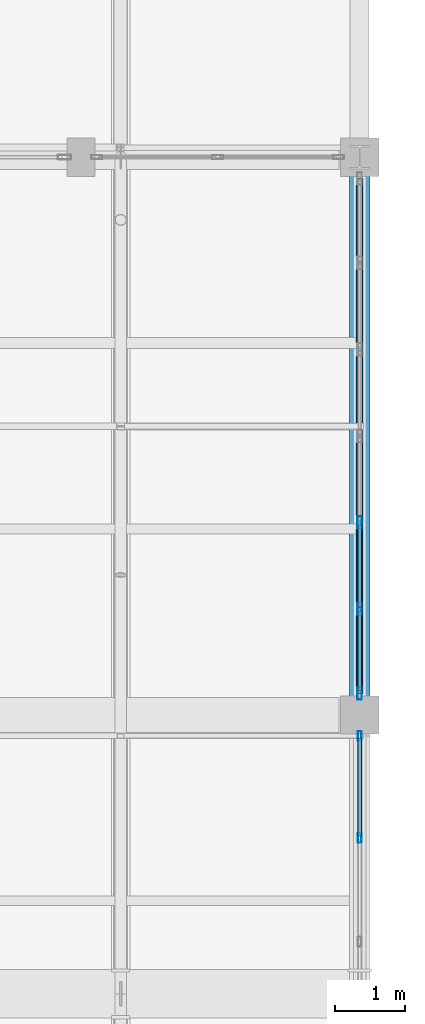
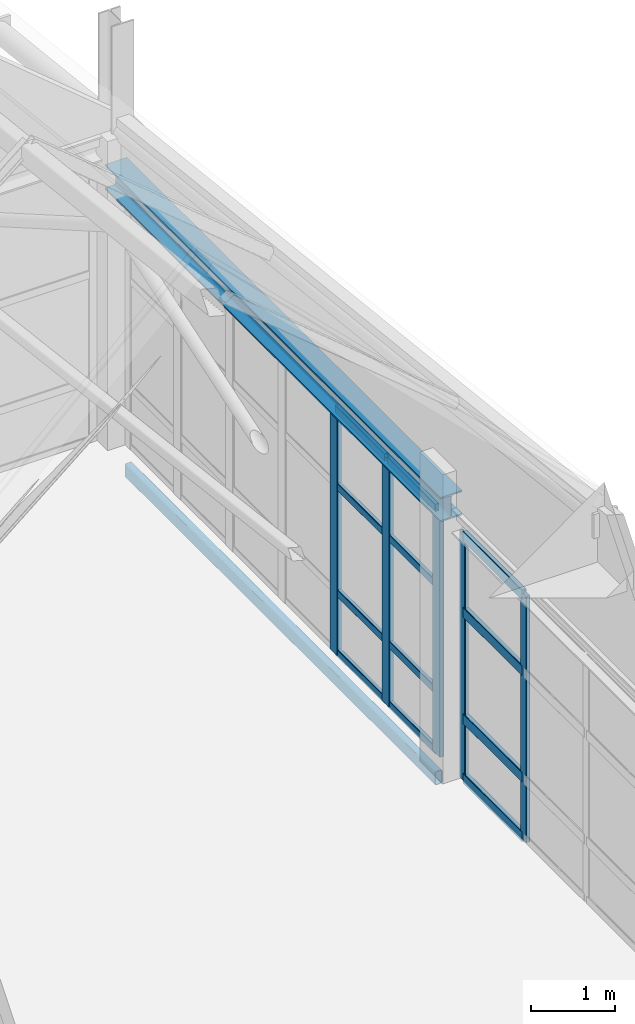
# One storey, part 89 of 183: 17 members, 2 beams, 2 elements without a shape of their own.
"""IFC4 building model written with IfcOpenShell, lengths in metres."""

from ifc_helpers import new_model, si_unit, direction, frame, origin, origin_2d, place, context, subcontext, project, spatial, hollow_rectangle, i_section, extrude, material, material_profile, profile_set, type_object, element, aggregate, save


model = new_model("IFC4")

# Units and contexts
model_context = context("Model", 3, precision=1e-05, world=origin(), true_north=direction((0.0, 1.0)))
body_context = subcontext(model_context, "Body", "Model", "MODEL_VIEW")
ifc_project = project(units=[si_unit("LENGTHUNIT", "METRE"), si_unit("AREAUNIT", "SQUARE_METRE"), si_unit("VOLUMEUNIT", "CUBIC_METRE"), si_unit("PLANEANGLEUNIT", "RADIAN"), si_unit("MASSUNIT", "GRAM", prefix="KILO")], contexts=[model_context])

# Site, building, storey
site_placement = place(None, origin())
site = spatial("IfcSite", under=ifc_project, at=site_placement, CompositionType="ELEMENT")
building_placement = place(site_placement, origin())
building = spatial("IfcBuilding", under=site, at=building_placement, Name="Luwemba Playhouse", CompositionType="ELEMENT")
storey_placement = place(building_placement, frame((0.0, 0.0, 4.800048828125)))
storey = spatial("IfcBuildingStorey", under=building, at=storey_placement, Name="L01", CompositionType="ELEMENT", Elevation=4.800048828125)

# Beams
ifc_material_1 = material(Name="Steel S355", Category="steel")
ifc_material_profile_1 = material_profile(ifc_material_1, i_section(OverallWidth=0.300048828125, OverallDepth=0.360107421875, WebThickness=0.012451171875, FlangeThickness=0.0224609375, FilletRadius=0.027099609375, at=origin_2d()))
ifc_profile_set_1 = profile_set([ifc_material_profile_1], Name="Steel S355")
beam_type_1 = type_object("IfcBeamType", Name="BM-SB09", PredefinedType="BEAM", material=ifc_profile_set_1)
beam_1_placement = place(storey_placement, frame((172.0, 19.0, 3.780029296875), z_axis=(0.0, 1.0, 0.0), x_axis=(-1.0, 0.0, 0.0)))
element("IfcBeam", 1, at=beam_1_placement, inside=storey, type_object=beam_type_1, Name="RF-V5E gable ring beam 0308", PredefinedType="BEAM", context=body_context, shape_type="SweptSolid", body=[
    extrude(i_section(OverallWidth=0.300048828125, OverallDepth=0.360107421875, WebThickness=0.012451171875, FlangeThickness=0.0224609375, FilletRadius=0.027099609375, at=origin_2d()), origin(), (0.0, 0.0, 1.0), 8.0),
])
ifc_material_profile_2 = material_profile(ifc_material_1, hollow_rectangle(XDim=0.10009765625, YDim=0.199951171875, WallThickness=0.008056640625, InnerFilletRadius=0.011962890625, OuterFilletRadius=0.02001953125, at=origin_2d()))
ifc_profile_set_2 = profile_set([ifc_material_profile_2], Name="Steel S355")
beam_type_2 = type_object("IfcBeamType", Name="BM-SSP2", PredefinedType="SPANDREL", material=ifc_profile_set_2)
beam_2_placement = place(storey_placement, frame((172.0, 19.300048828125, -0.35009765625), z_axis=(0.0, 1.0, 0.0), x_axis=(-1.0, 0.0, 0.0)))
element("IfcBeam", 2, at=beam_2_placement, inside=storey, type_object=beam_type_2, Name="L01 transverse girder 0563", PredefinedType="SPANDREL", context=body_context, shape_type="SweptSolid", body=[
    extrude(hollow_rectangle(XDim=0.10009765625, YDim=0.199951171875, WallThickness=0.008056640625, InnerFilletRadius=0.011962890625, OuterFilletRadius=0.02001953125, at=origin_2d()), origin(), (0.0, 0.0, 1.0), 7.39990234375),
])

# Curtain wall, members
ifc_material_2 = material(Name="Solar-control double glazing", Category="glass")
curtain_wall_type_1 = type_object("IfcCurtainWallType", Name="CW-CW129", PredefinedType="USERDEFINED", material=ifc_material_2)
curtain_wall_1_placement = place(storey_placement, origin())
curtain_wall_1 = element("IfcCurtainWall", 3, at=curtain_wall_1_placement, inside=storey, type_object=curtain_wall_type_1, Name="L01 V5E unitised curtain wall 167", ObjectType="UNITISED GLAZING", PredefinedType="USERDEFINED")
ifc_material_3 = material(Name="Aluminium 6063-T6", Category="aluminium")
ifc_material_profile_3 = material_profile(ifc_material_3, hollow_rectangle(XDim=0.06494140625, YDim=0.179931640625, WallThickness=0.00439453125, InnerFilletRadius=0.0068359375, OuterFilletRadius=0.01123046875, at=origin_2d()))
ifc_profile_set_3 = profile_set([ifc_material_profile_3], Name="Aluminium 6063-T6")
member_type_1 = type_object("IfcMemberType", Name="CWM-M2", PredefinedType="MULLION", material=ifc_profile_set_3)
member_1_placement = place(storey_placement, frame((172.0, 21.75830078125, 0.0), z_axis=(0.0, 0.0, 1.0), x_axis=(1.0, 0.0, 0.0)))
member_1 = element("IfcMember", 4, at=member_1_placement, type_object=member_type_1, Name="CW129 mullion 5", PredefinedType="MULLION", context=body_context, shape_type="SweptSolid", body=[
    extrude(hollow_rectangle(XDim=0.06494140625, YDim=0.179931640625, WallThickness=0.00439453125, InnerFilletRadius=0.0068359375, OuterFilletRadius=0.01123046875, at=origin_2d()), origin(), (0.0, 0.0, 1.0), 3.5849609375),
])
member_2_placement = place(storey_placement, frame((172.0, 20.5166015625, 0.0), z_axis=(0.0, 0.0, 1.0), x_axis=(1.0, 0.0, 0.0)))
member_2 = element("IfcMember", 5, at=member_2_placement, type_object=member_type_1, Name="CW129 mullion 6", PredefinedType="MULLION", context=body_context, shape_type="SweptSolid", body=[
    extrude(hollow_rectangle(XDim=0.06494140625, YDim=0.179931640625, WallThickness=0.00439453125, InnerFilletRadius=0.0068359375, OuterFilletRadius=0.01123046875, at=origin_2d()), origin(), (0.0, 0.0, 1.0), 3.5849609375),
])
member_3_placement = place(storey_placement, frame((172.0, 19.3076171875, 0.0), z_axis=(0.0, 0.0, 1.0), x_axis=(1.0, 0.0, 0.0)))
member_3 = element("IfcMember", 6, at=member_3_placement, type_object=member_type_1, Name="CW129 mullion 7", PredefinedType="MULLION", context=body_context, shape_type="SweptSolid", body=[
    extrude(hollow_rectangle(XDim=0.06494140625, YDim=0.179931640625, WallThickness=0.00439453125, InnerFilletRadius=0.0068359375, OuterFilletRadius=0.01123046875, at=origin_2d()), origin(), (0.0, 0.0, 1.0), 3.5849609375),
])

curtain_wall_type_2 = type_object("IfcCurtainWallType", Name="CW-CW130", PredefinedType="USERDEFINED", material=ifc_material_2)
curtain_wall_2_placement = place(storey_placement, origin())
curtain_wall_2 = element("IfcCurtainWall", 7, at=curtain_wall_2_placement, inside=storey, type_object=curtain_wall_type_2, Name="L01 V5E unitised curtain wall 168", ObjectType="UNITISED GLAZING", PredefinedType="USERDEFINED")
ifc_material_profile_4 = material_profile(ifc_material_3, hollow_rectangle(XDim=0.054931640625, YDim=0.139892578125, WallThickness=0.00390625, InnerFilletRadius=0.006103515625, OuterFilletRadius=0.010009765625, at=origin_2d()))
ifc_profile_set_4 = profile_set([ifc_material_profile_4], Name="Aluminium 6063-T6")
member_type_2 = type_object("IfcMemberType", Name="CWM-M3", PredefinedType="MULLION", material=ifc_profile_set_4)
member_4_placement = place(storey_placement, frame((172.0, 18.697509765625, 0.0), z_axis=(0.0, 0.0, 1.0), x_axis=(1.0, 0.0, 0.0)))
member_4 = element("IfcMember", 8, at=member_4_placement, type_object=member_type_2, Name="CW130 mullion 1", PredefinedType="MULLION", context=body_context, shape_type="SweptSolid", body=[
    extrude(hollow_rectangle(XDim=0.054931640625, YDim=0.139892578125, WallThickness=0.00390625, InnerFilletRadius=0.006103515625, OuterFilletRadius=0.010009765625, at=origin_2d()), origin(), (0.0, 0.0, 1.0), 3.5849609375),
])
member_5_placement = place(storey_placement, frame((172.0, 17.235107421875, 0.0), z_axis=(0.0, 0.0, 1.0), x_axis=(1.0, 0.0, 0.0)))
member_5 = element("IfcMember", 9, at=member_5_placement, type_object=member_type_2, Name="CW130 mullion 2", PredefinedType="MULLION", context=body_context, shape_type="SweptSolid", body=[
    extrude(hollow_rectangle(XDim=0.054931640625, YDim=0.139892578125, WallThickness=0.00390625, InnerFilletRadius=0.006103515625, OuterFilletRadius=0.010009765625, at=origin_2d()), origin(), (0.0, 0.0, 1.0), 3.5849609375),
])

# Member
ifc_material_profile_5 = material_profile(ifc_material_3, hollow_rectangle(XDim=0.054931640625, YDim=0.110107421875, WallThickness=0.00341796875, InnerFilletRadius=0.00537109375, OuterFilletRadius=0.0087890625, at=origin_2d()))
ifc_profile_set_5 = profile_set([ifc_material_profile_5], Name="Aluminium 6063-T6")
member_type_3 = type_object("IfcMemberType", Name="CWT-T2", PredefinedType="USERDEFINED", material=ifc_profile_set_5)
member_6_placement = place(storey_placement, frame((172.0, 21.725830078125, 0.02734375), z_axis=(0.0, -1.0, 0.0), x_axis=(1.0, 0.0, 0.0)))
member_6 = element("IfcMember", 10, at=member_6_placement, type_object=member_type_3, Name="CW129 transom 5.1", ObjectType="TRANSOM", PredefinedType="USERDEFINED", context=body_context, shape_type="SweptSolid", body=[
    extrude(hollow_rectangle(XDim=0.054931640625, YDim=0.110107421875, WallThickness=0.00341796875, InnerFilletRadius=0.00537109375, OuterFilletRadius=0.0087890625, at=origin_2d()), origin(), (0.0, 0.0, 1.0), 1.1767578125),
])

member_7_placement = place(storey_placement, frame((172.0, 21.725830078125, 0.89990234375), z_axis=(0.0, -1.0, 0.0), x_axis=(1.0, 0.0, 0.0)))
member_7 = element("IfcMember", 11, at=member_7_placement, type_object=member_type_3, Name="CW129 transom 5.2", ObjectType="TRANSOM", PredefinedType="USERDEFINED", context=body_context, shape_type="SweptSolid", body=[
    extrude(hollow_rectangle(XDim=0.054931640625, YDim=0.110107421875, WallThickness=0.00341796875, InnerFilletRadius=0.00537109375, OuterFilletRadius=0.0087890625, at=origin_2d()), origin(), (0.0, 0.0, 1.0), 1.1767578125),
])

member_8_placement = place(storey_placement, frame((172.0, 21.725830078125, 2.449951171875), z_axis=(0.0, -1.0, 0.0), x_axis=(1.0, 0.0, 0.0)))
member_8 = element("IfcMember", 12, at=member_8_placement, type_object=member_type_3, Name="CW129 transom 5.3", ObjectType="TRANSOM", PredefinedType="USERDEFINED", context=body_context, shape_type="SweptSolid", body=[
    extrude(hollow_rectangle(XDim=0.054931640625, YDim=0.110107421875, WallThickness=0.00341796875, InnerFilletRadius=0.00537109375, OuterFilletRadius=0.0087890625, at=origin_2d()), origin(), (0.0, 0.0, 1.0), 1.1767578125),
])

member_9_placement = place(storey_placement, frame((172.0, 21.725830078125, 3.557373046875), z_axis=(0.0, -1.0, 0.0), x_axis=(1.0, 0.0, 0.0)))
member_9 = element("IfcMember", 13, at=member_9_placement, type_object=member_type_3, Name="CW129 transom 5.4", ObjectType="TRANSOM", PredefinedType="USERDEFINED", context=body_context, shape_type="SweptSolid", body=[
    extrude(hollow_rectangle(XDim=0.054931640625, YDim=0.110107421875, WallThickness=0.00341796875, InnerFilletRadius=0.00537109375, OuterFilletRadius=0.0087890625, at=origin_2d()), origin(), (0.0, 0.0, 1.0), 1.1767578125),
])

member_10_placement = place(storey_placement, frame((172.0, 20.484130859375, 0.02734375), z_axis=(0.0, -1.0, 0.0), x_axis=(1.0, 0.0, 0.0)))
member_10 = element("IfcMember", 14, at=member_10_placement, type_object=member_type_3, Name="CW129 transom 6.1", ObjectType="TRANSOM", PredefinedType="USERDEFINED", context=body_context, shape_type="SweptSolid", body=[
    extrude(hollow_rectangle(XDim=0.054931640625, YDim=0.110107421875, WallThickness=0.00341796875, InnerFilletRadius=0.00537109375, OuterFilletRadius=0.0087890625, at=origin_2d()), origin(), (0.0, 0.0, 1.0), 1.14404296875),
])

member_11_placement = place(storey_placement, frame((172.0, 20.484130859375, 0.89990234375), z_axis=(0.0, -1.0, 0.0), x_axis=(1.0, 0.0, 0.0)))
member_11 = element("IfcMember", 15, at=member_11_placement, type_object=member_type_3, Name="CW129 transom 6.2", ObjectType="TRANSOM", PredefinedType="USERDEFINED", context=body_context, shape_type="SweptSolid", body=[
    extrude(hollow_rectangle(XDim=0.054931640625, YDim=0.110107421875, WallThickness=0.00341796875, InnerFilletRadius=0.00537109375, OuterFilletRadius=0.0087890625, at=origin_2d()), origin(), (0.0, 0.0, 1.0), 1.14404296875),
])

member_12_placement = place(storey_placement, frame((172.0, 20.484130859375, 2.449951171875), z_axis=(0.0, -1.0, 0.0), x_axis=(1.0, 0.0, 0.0)))
member_12 = element("IfcMember", 16, at=member_12_placement, type_object=member_type_3, Name="CW129 transom 6.3", ObjectType="TRANSOM", PredefinedType="USERDEFINED", context=body_context, shape_type="SweptSolid", body=[
    extrude(hollow_rectangle(XDim=0.054931640625, YDim=0.110107421875, WallThickness=0.00341796875, InnerFilletRadius=0.00537109375, OuterFilletRadius=0.0087890625, at=origin_2d()), origin(), (0.0, 0.0, 1.0), 1.14404296875),
])

member_13_placement = place(storey_placement, frame((172.0, 20.484130859375, 3.557373046875), z_axis=(0.0, -1.0, 0.0), x_axis=(1.0, 0.0, 0.0)))
member_13 = element("IfcMember", 17, at=member_13_placement, type_object=member_type_3, Name="CW129 transom 6.4", ObjectType="TRANSOM", PredefinedType="USERDEFINED", context=body_context, shape_type="SweptSolid", body=[
    extrude(hollow_rectangle(XDim=0.054931640625, YDim=0.110107421875, WallThickness=0.00341796875, InnerFilletRadius=0.00537109375, OuterFilletRadius=0.0087890625, at=origin_2d()), origin(), (0.0, 0.0, 1.0), 1.14404296875),
])

aggregate(curtain_wall_1, [member_1, member_2, member_3, member_6, member_7, member_8, member_9, member_10, member_11, member_12, member_13])

ifc_material_profile_6 = material_profile(ifc_material_3, hollow_rectangle(XDim=0.06494140625, YDim=0.14990234375, WallThickness=0.00390625, InnerFilletRadius=0.006103515625, OuterFilletRadius=0.010009765625, at=origin_2d()))
ifc_profile_set_6 = profile_set([ifc_material_profile_6], Name="Aluminium 6063-T6")
member_type_4 = type_object("IfcMemberType", Name="CWT-T3", PredefinedType="USERDEFINED", material=ifc_profile_set_6)
member_14_placement = place(storey_placement, frame((172.0, 18.669921875, 0.032470703125), z_axis=(0.0, -1.0, 0.0), x_axis=(1.0, 0.0, 0.0)))
member_14 = element("IfcMember", 18, at=member_14_placement, type_object=member_type_4, Name="CW130 transom 1.1", ObjectType="TRANSOM", PredefinedType="USERDEFINED", context=body_context, shape_type="SweptSolid", body=[
    extrude(hollow_rectangle(XDim=0.06494140625, YDim=0.14990234375, WallThickness=0.00390625, InnerFilletRadius=0.006103515625, OuterFilletRadius=0.010009765625, at=origin_2d()), origin(), (0.0, 0.0, 1.0), 1.407470703125),
])

member_15_placement = place(storey_placement, frame((172.0, 18.669921875, 0.89990234375), z_axis=(0.0, -1.0, 0.0), x_axis=(1.0, 0.0, 0.0)))
member_15 = element("IfcMember", 19, at=member_15_placement, type_object=member_type_4, Name="CW130 transom 1.2", ObjectType="TRANSOM", PredefinedType="USERDEFINED", context=body_context, shape_type="SweptSolid", body=[
    extrude(hollow_rectangle(XDim=0.06494140625, YDim=0.14990234375, WallThickness=0.00390625, InnerFilletRadius=0.006103515625, OuterFilletRadius=0.010009765625, at=origin_2d()), origin(), (0.0, 0.0, 1.0), 1.407470703125),
])

member_16_placement = place(storey_placement, frame((172.0, 18.669921875, 2.449951171875), z_axis=(0.0, -1.0, 0.0), x_axis=(1.0, 0.0, 0.0)))
member_16 = element("IfcMember", 20, at=member_16_placement, type_object=member_type_4, Name="CW130 transom 1.3", ObjectType="TRANSOM", PredefinedType="USERDEFINED", context=body_context, shape_type="SweptSolid", body=[
    extrude(hollow_rectangle(XDim=0.06494140625, YDim=0.14990234375, WallThickness=0.00390625, InnerFilletRadius=0.006103515625, OuterFilletRadius=0.010009765625, at=origin_2d()), origin(), (0.0, 0.0, 1.0), 1.407470703125),
])

member_17_placement = place(storey_placement, frame((172.0, 18.669921875, 3.552490234375), z_axis=(0.0, -1.0, 0.0), x_axis=(1.0, 0.0, 0.0)))
member_17 = element("IfcMember", 21, at=member_17_placement, type_object=member_type_4, Name="CW130 transom 1.4", ObjectType="TRANSOM", PredefinedType="USERDEFINED", context=body_context, shape_type="SweptSolid", body=[
    extrude(hollow_rectangle(XDim=0.06494140625, YDim=0.14990234375, WallThickness=0.00390625, InnerFilletRadius=0.006103515625, OuterFilletRadius=0.010009765625, at=origin_2d()), origin(), (0.0, 0.0, 1.0), 1.407470703125),
])

aggregate(curtain_wall_2, [member_4, member_5, member_14, member_15, member_16, member_17])

save(model, "model.ifc")
